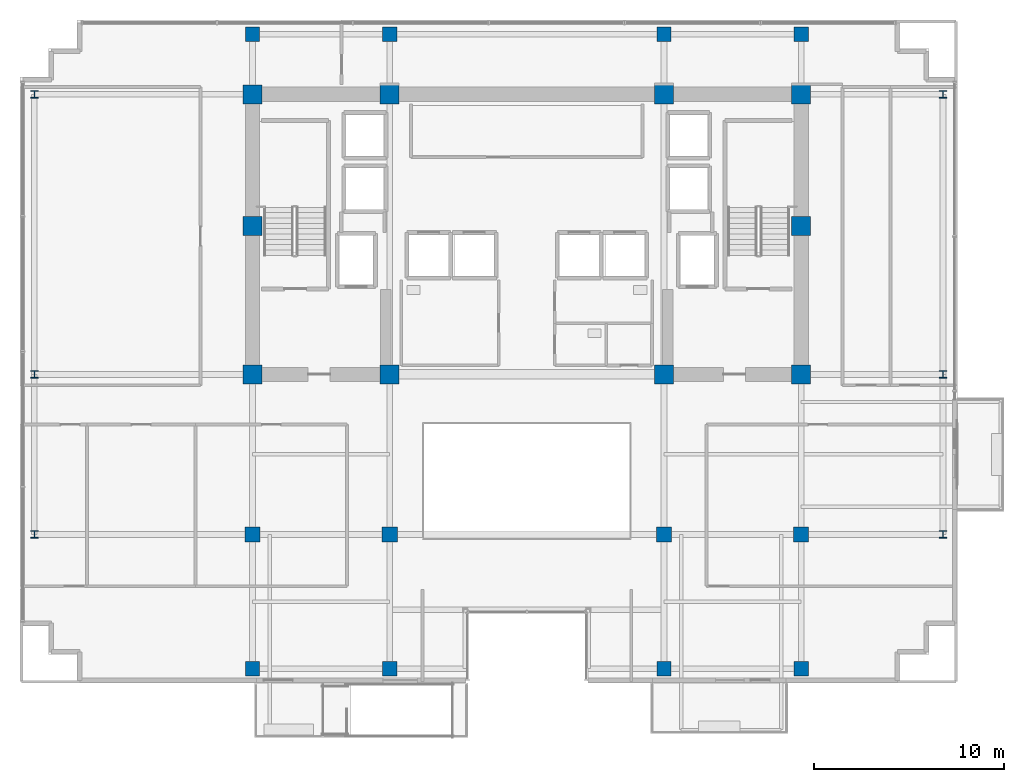
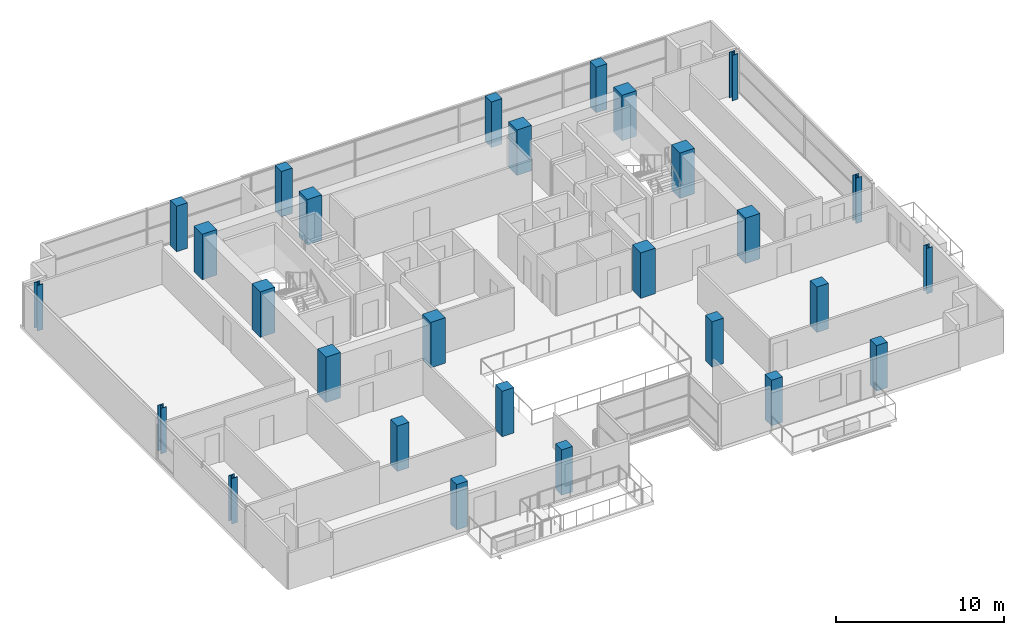
# One storey, part 1 of 23: 28 columns.
"""IFC4 building model written with IfcOpenShell, lengths in metres."""

from ifc_helpers import new_model, si_unit, direction, frame, origin, origin_2d, place, context, subcontext, project, spatial, rectangle, i_section, extrude, material, material_profile, profile_set, type_object, element, save


model = new_model("IFC4")

# Units and contexts
model_context = context("Model", 3, precision=1e-05, world=origin(), true_north=direction((0.0, 1.0)))
body_context = subcontext(model_context, "Body", "Model", "MODEL_VIEW")
ifc_project = project(units=[si_unit("LENGTHUNIT", "METRE"), si_unit("AREAUNIT", "SQUARE_METRE"), si_unit("VOLUMEUNIT", "CUBIC_METRE"), si_unit("PLANEANGLEUNIT", "RADIAN"), si_unit("MASSUNIT", "GRAM", prefix="KILO")], contexts=[model_context])

# Site, building, storey
site_placement = place(None, origin())
site = spatial("IfcSite", under=ifc_project, at=site_placement, CompositionType="ELEMENT")
building_placement = place(site_placement, origin())
building = spatial("IfcBuilding", under=site, at=building_placement, Name="Zarnakvel Exchange Tower", CompositionType="ELEMENT")
storey_placement = place(building_placement, frame((0.0, 0.0, 149.5)))
storey = spatial("IfcBuildingStorey", under=building, at=storey_placement, Name="L41", CompositionType="ELEMENT", Elevation=149.5)

# Columns
ifc_material_1 = material(Name="Concrete C60/75", Category="concrete")
ifc_material_profile_1 = material_profile(ifc_material_1, rectangle(XDim=1.0, YDim=1.0, at=origin_2d()))
ifc_profile_set_1 = profile_set([ifc_material_profile_1], Name="Concrete C60/75")
column_type_1 = type_object("IfcColumnType", Name="CC-02", PredefinedType="COLUMN", material=ifc_profile_set_1)
for number, where, z_axis, x_axis, name in (
    (1, (-14.39990234375, -1.199951171875, 0.0), (0.0, 0.0, 1.0), (1.0, 0.0, 0.0), "L41 Column C-4D (CC-02)"),
    (2, (-7.199951171875, -1.199951171875, 0.0), (0.0, 0.0, 1.0), (1.0, 0.0, 0.0), "L41 Column C-5D (CC-02)"),
    (3, (7.199951171875, -1.199951171875, 0.0), (0.0, 0.0, 1.0), (1.0, 0.0, 0.0), "L41 Column C-8D (CC-02)"),
    (4, (14.39990234375, -1.199951171875, 0.0), (0.0, 0.0, 1.0), (1.0, 0.0, 0.0), "L41 Column C-9D (CC-02)"),
    (5, (-14.39990234375, 6.60009765625, 0.0), (0.0, 0.0, 1.0), (1.0, 0.0, 0.0), "L41 Column C-4E (CC-02)"),
    (6, (14.39990234375, 6.60009765625, 0.0), (0.0, 0.0, 1.0), (1.0, 0.0, 0.0), "L41 Column C-9E (CC-02)"),
    (7, (-14.39990234375, 13.5, 0.0), (0.0, 0.0, 1.0), (1.0, 0.0, 0.0), "L41 Column C-4F (CC-02)"),
    (8, (-7.199951171875, 13.5, 0.0), (0.0, 0.0, 1.0), (1.0, 0.0, 0.0), "L41 Column C-5F (CC-02)"),
    (9, (7.199951171875, 13.5, 0.0), (0.0, 0.0, 1.0), (1.0, 0.0, 0.0), "L41 Column C-8F (CC-02)"),
    (10, (14.39990234375, 13.5, 0.0), (0.0, 0.0, 1.0), (1.0, 0.0, 0.0), "L41 Column C-9F (CC-02)"),
):
    element("IfcColumn", number, at=place(storey_placement, frame(where, z_axis=z_axis, x_axis=x_axis)), inside=storey, type_object=column_type_1, Name=name, PredefinedType="COLUMN", context=body_context, shape_type="SweptSolid", body=[
        extrude(rectangle(XDim=1.0, YDim=1.0, at=origin_2d()), origin(), (0.0, 0.0, 1.0), 3.300048828125),
    ])
ifc_material_2 = material(Name="Steel S355", Category="steel")
ifc_material_profile_2 = material_profile(ifc_material_2, i_section(OverallWidth=0.39892578125, OverallDepth=0.3935546875, WebThickness=0.022705078125, FlangeThickness=0.03662109375, FilletRadius=0.01513671875, at=origin_2d()))
ifc_profile_set_2 = profile_set([ifc_material_profile_2], Name="Steel S355")
column_type_2 = type_object("IfcColumnType", Name="SC-04", PredefinedType="COLUMN", material=ifc_profile_set_2)
for number, where, z_axis, x_axis, name in (
    (11, (-25.85009765625, -9.60009765625, 0.0), (0.0, 0.0, 1.0), (1.0, 0.0, 0.0), "L41 Column TW-C (SC-04)"),
    (12, (21.85009765625, -9.60009765625, 0.0), (0.0, 0.0, 1.0), (1.0, 0.0, 0.0), "L41 Column TE-C (SC-04)"),
    (13, (-25.85009765625, -1.199951171875, 0.0), (0.0, 0.0, 1.0), (1.0, 0.0, 0.0), "L41 Column TW-D (SC-04)"),
    (14, (21.85009765625, -1.199951171875, 0.0), (0.0, 0.0, 1.0), (1.0, 0.0, 0.0), "L41 Column TE-D (SC-04)"),
    (15, (-25.85009765625, 13.5, 0.0), (0.0, 0.0, 1.0), (1.0, 0.0, 0.0), "L41 Column TW-F (SC-04)"),
    (16, (21.85009765625, 13.5, 0.0), (0.0, 0.0, 1.0), (1.0, 0.0, 0.0), "L41 Column TE-F (SC-04)"),
):
    element("IfcColumn", number, at=place(storey_placement, frame(where, z_axis=z_axis, x_axis=x_axis)), inside=storey, type_object=column_type_2, Name=name, PredefinedType="COLUMN", context=body_context, shape_type="SweptSolid", body=[
        extrude(i_section(OverallWidth=0.39892578125, OverallDepth=0.3935546875, WebThickness=0.022705078125, FlangeThickness=0.03662109375, FilletRadius=0.01513671875, at=origin_2d()), origin(), (0.0, 0.0, 1.0), 3.300048828125),
    ])
ifc_material_profile_3 = material_profile(ifc_material_1, rectangle(XDim=0.800048828125, YDim=0.800048828125, at=origin_2d()))
ifc_profile_set_3 = profile_set([ifc_material_profile_3], Name="Concrete C60/75")
column_type_3 = type_object("IfcColumnType", Name="TC-03", PredefinedType="COLUMN", material=ifc_profile_set_3)
for number, where, z_axis, x_axis, name in (
    (17, (-14.39990234375, -9.60009765625, 0.0), (0.0, 0.0, 1.0), (1.0, 0.0, 0.0), "L41 Column T-4C (TC-03)"),
    (18, (-7.199951171875, -9.60009765625, 0.0), (0.0, 0.0, 1.0), (1.0, 0.0, 0.0), "L41 Column T-5C (TC-03)"),
    (19, (7.199951171875, -9.60009765625, 0.0), (0.0, 0.0, 1.0), (1.0, 0.0, 0.0), "L41 Column T-8C (TC-03)"),
    (20, (14.39990234375, -9.60009765625, 0.0), (0.0, 0.0, 1.0), (1.0, 0.0, 0.0), "L41 Column T-9C (TC-03)"),
):
    element("IfcColumn", number, at=place(storey_placement, frame(where, z_axis=z_axis, x_axis=x_axis)), inside=storey, type_object=column_type_3, Name=name, PredefinedType="COLUMN", context=body_context, shape_type="SweptSolid", body=[
        extrude(rectangle(XDim=0.800048828125, YDim=0.800048828125, at=origin_2d()), origin(), (0.0, 0.0, 1.0), 3.300048828125),
    ])
ifc_material_3 = material(Name="Concrete C50/60", Category="concrete")
ifc_material_profile_4 = material_profile(ifc_material_3, rectangle(XDim=0.75, YDim=0.75, at=origin_2d()))
ifc_profile_set_4 = profile_set([ifc_material_profile_4], Name="Concrete C50/60")
column_type_4 = type_object("IfcColumnType", Name="TC-04", PredefinedType="COLUMN", material=ifc_profile_set_4)
for number, where, z_axis, x_axis, name in (
    (21, (-14.39990234375, -16.64990234375, 0.0), (0.0, 0.0, 1.0), (1.0, 0.0, 0.0), "L41 Column TS-4 (TC-04)"),
    (22, (-14.39990234375, 16.64990234375, 0.0), (0.0, 0.0, 1.0), (1.0, 0.0, 0.0), "L41 Column TN-4 (TC-04)"),
    (23, (-7.199951171875, -16.64990234375, 0.0), (0.0, 0.0, 1.0), (1.0, 0.0, 0.0), "L41 Column TS-5 (TC-04)"),
    (24, (-7.199951171875, 16.64990234375, 0.0), (0.0, 0.0, 1.0), (1.0, 0.0, 0.0), "L41 Column TN-5 (TC-04)"),
    (25, (7.199951171875, -16.64990234375, 0.0), (0.0, 0.0, 1.0), (1.0, 0.0, 0.0), "L41 Column TS-8 (TC-04)"),
    (26, (7.199951171875, 16.64990234375, 0.0), (0.0, 0.0, 1.0), (1.0, 0.0, 0.0), "L41 Column TN-8 (TC-04)"),
    (27, (14.39990234375, -16.64990234375, 0.0), (0.0, 0.0, 1.0), (1.0, 0.0, 0.0), "L41 Column TS-9 (TC-04)"),
    (28, (14.39990234375, 16.64990234375, 0.0), (0.0, 0.0, 1.0), (1.0, 0.0, 0.0), "L41 Column TN-9 (TC-04)"),
):
    element("IfcColumn", number, at=place(storey_placement, frame(where, z_axis=z_axis, x_axis=x_axis)), inside=storey, type_object=column_type_4, Name=name, PredefinedType="COLUMN", context=body_context, shape_type="SweptSolid", body=[
        extrude(rectangle(XDim=0.75, YDim=0.75, at=origin_2d()), origin(), (0.0, 0.0, 1.0), 3.300048828125),
    ])

save(model, "model.ifc")
